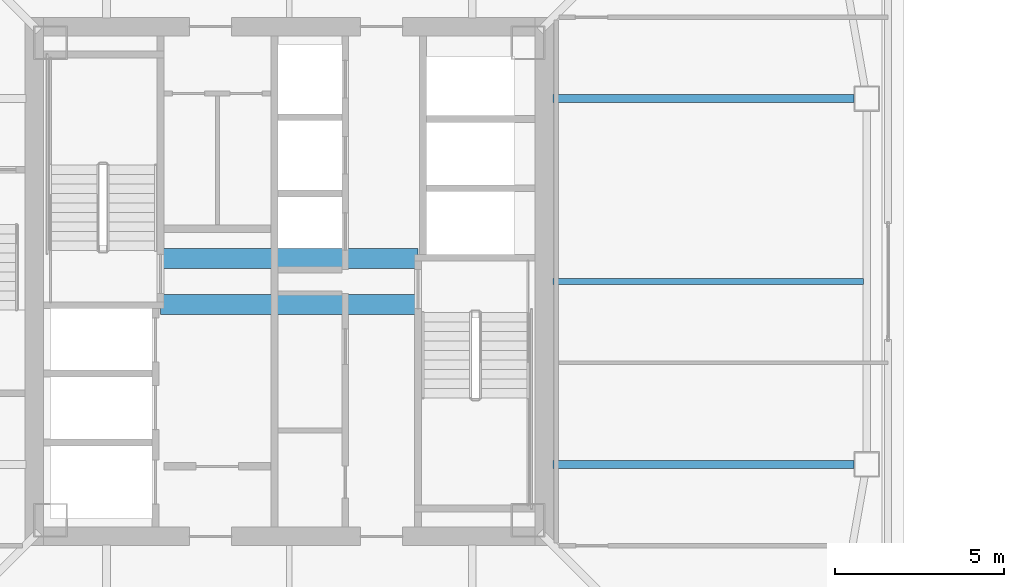
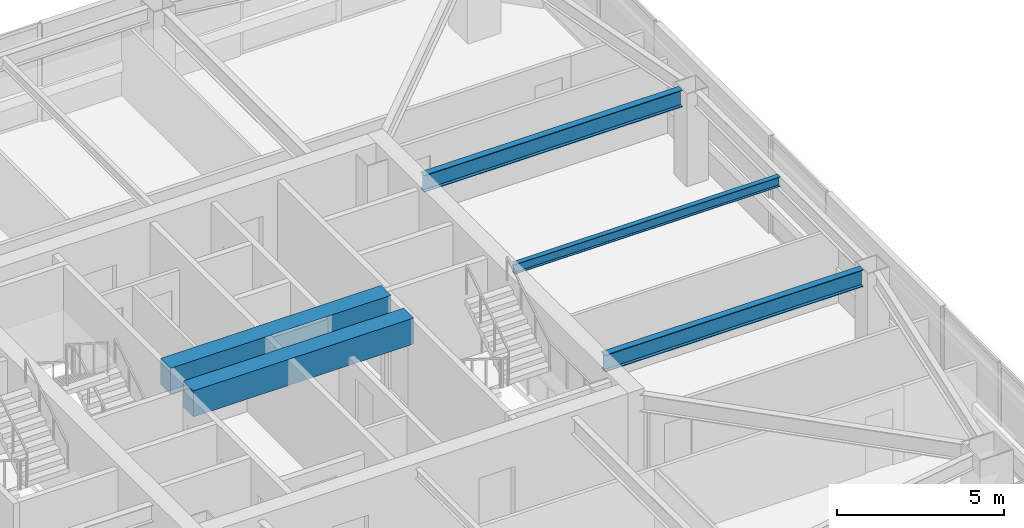
# One storey, part 10 of 44: 5 beams.
"""IFC4 building model written with IfcOpenShell, lengths in metres."""

from ifc_helpers import new_model, si_unit, direction, frame, origin, origin_2d, place, context, subcontext, project, spatial, rectangle, i_section, extrude, material, material_profile, profile_set, type_object, element, save


model = new_model("IFC4")

# Units and contexts
model_context = context("Model", 3, precision=1e-05, world=origin(), true_north=direction((0.0, 1.0)))
body_context = subcontext(model_context, "Body", "Model", "MODEL_VIEW")
ifc_project = project(units=[si_unit("LENGTHUNIT", "METRE"), si_unit("AREAUNIT", "SQUARE_METRE"), si_unit("VOLUMEUNIT", "CUBIC_METRE"), si_unit("PLANEANGLEUNIT", "RADIAN"), si_unit("MASSUNIT", "GRAM", prefix="KILO")], contexts=[model_context])

# Site, building, storey
site_placement = place(None, origin())
site = spatial("IfcSite", under=ifc_project, at=site_placement, CompositionType="ELEMENT")
building_placement = place(site_placement, origin())
building = spatial("IfcBuilding", under=site, at=building_placement, Name="Tashvorn Skyway Center", CompositionType="ELEMENT")
storey_placement = place(building_placement, frame((0.0, 0.0, 181.85009765625)))
storey = spatial("IfcBuildingStorey", under=building, at=storey_placement, Name="L49", CompositionType="ELEMENT", Elevation=181.85009765625)

# Beams
ifc_material_1 = material(Name="Steel ASTM A992 Grade 50", Category="steel")
ifc_material_profile_1 = material_profile(ifc_material_1, i_section(OverallWidth=0.22998046875, OverallDepth=0.616943359375, WebThickness=0.01318359375, FlangeThickness=0.022216796875, at=origin_2d()), Name="W24X94")
ifc_profile_set_1 = profile_set([ifc_material_profile_1], Name="Steel ASTM A992 Grade 50")
beam_type_1 = type_object("IfcBeamType", Name="BM-BEAM-W24X94", PredefinedType="BEAM", material=ifc_profile_set_1)
for number, where, z_axis, x_axis, name in (
    (1, (58.679931640625, 26.60009765625, 3.0615234375), (-1.0, 0.0, 0.0), (0.0, -1.0, 0.0), "Tower 1 L49 Primary Floor Girder FC-E1"),
    (2, (58.679931640625, 37.39990234375, 3.0615234375), (-1.0, 0.0, 0.0), (0.0, -1.0, 0.0), "Tower 1 L49 Primary Floor Girder FC-E2"),
):
    element("IfcBeam", number, at=place(storey_placement, frame(where, z_axis=z_axis, x_axis=x_axis)), inside=storey, type_object=beam_type_1, Name=name, PredefinedType="BEAM", context=body_context, shape_type="SweptSolid", body=[
        extrude(i_section(OverallWidth=0.22998046875, OverallDepth=0.616943359375, WebThickness=0.01318359375, FlangeThickness=0.022216796875, at=origin_2d()), origin(), (0.0, 0.0, 1.0), 8.89990234375),
    ])
ifc_material_profile_2 = material_profile(ifc_material_1, i_section(OverallWidth=0.1708984375, OverallDepth=0.35498046875, WebThickness=0.007080078125, FlangeThickness=0.01171875, at=origin_2d()), Name="W14X34")
ifc_profile_set_2 = profile_set([ifc_material_profile_2], Name="Steel ASTM A992 Grade 50")
beam_type_2 = type_object("IfcBeamType", Name="BM-JOIST-W14X34", PredefinedType="JOIST", material=ifc_profile_set_2)
beam_placement = place(storey_placement, frame((49.7900390625, 32.0, 3.1923828125), z_axis=(1.0, 0.0, 0.0), x_axis=(0.0, 1.0, 0.0)))
element("IfcBeam", 3, at=beam_placement, inside=storey, type_object=beam_type_2, Name="Tower 1 L49 Secondary Composite Joist JE", PredefinedType="JOIST", context=body_context, shape_type="SweptSolid", body=[
    extrude(i_section(OverallWidth=0.1708984375, OverallDepth=0.35498046875, WebThickness=0.007080078125, FlangeThickness=0.01171875, at=origin_2d()), origin(), (0.0, 0.0, 1.0), 9.162353515625),
])
ifc_material_2 = material(Name="Concrete C60/75", Category="concrete")
ifc_material_profile_3 = material_profile(ifc_material_2, rectangle(XDim=0.60009765625, YDim=0.949951171875, at=origin_2d()), Name="RCB600x950")
ifc_profile_set_3 = profile_set([ifc_material_profile_3], Name="Concrete C60/75")
beam_type_3 = type_object("IfcBeamType", Name="BM-LINTEL-RCB600x950", PredefinedType="LINTEL", material=ifc_profile_set_3)
for number, where, z_axis, x_axis, name in (
    (4, (38.199951171875, 32.679931640625, 2.89501953125), (1.0, 0.0, 0.0), (0.0, 1.0, 0.0), "Tower 1 L49 Core Coupling Beam CN"),
    (5, (38.199951171875, 31.320068359375, 2.89501953125), (1.0, 0.0, 0.0), (0.0, 1.0, 0.0), "Tower 1 L49 Core Coupling Beam CS"),
):
    element("IfcBeam", number, at=place(storey_placement, frame(where, z_axis=z_axis, x_axis=x_axis)), inside=storey, type_object=beam_type_3, Name=name, PredefinedType="LINTEL", context=body_context, shape_type="SweptSolid", body=[
        extrude(rectangle(XDim=0.60009765625, YDim=0.949951171875, at=origin_2d()), origin(), (0.0, 0.0, 1.0), 7.60009765625),
    ])

save(model, "model.ifc")
